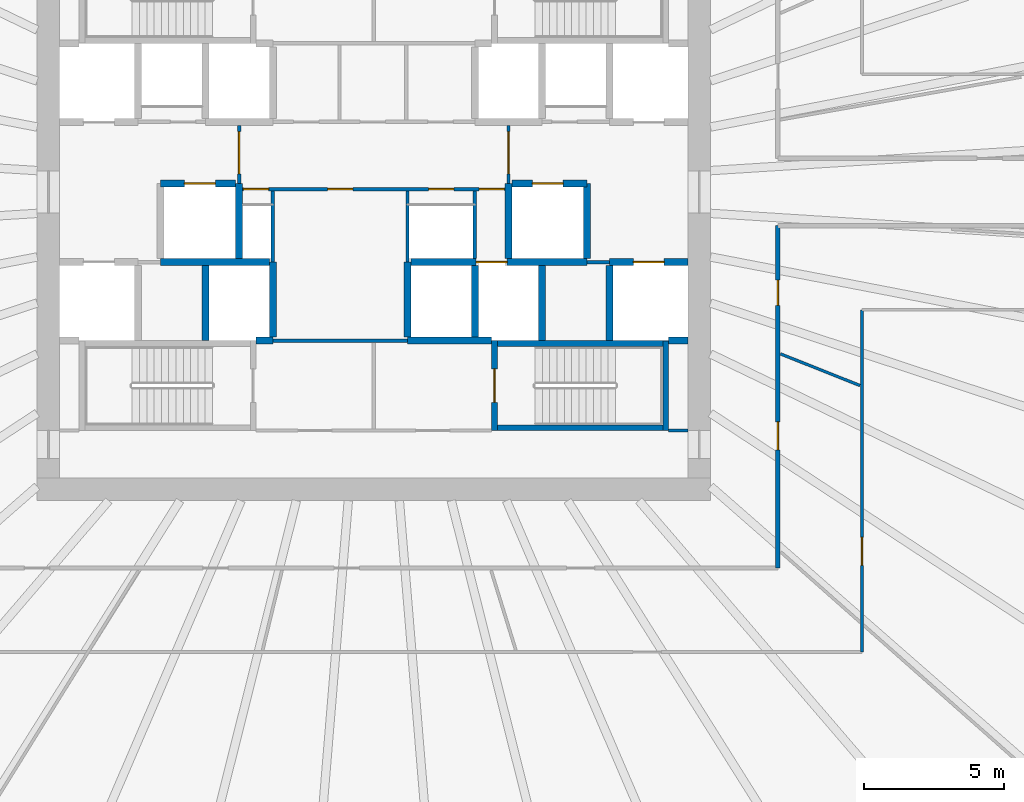
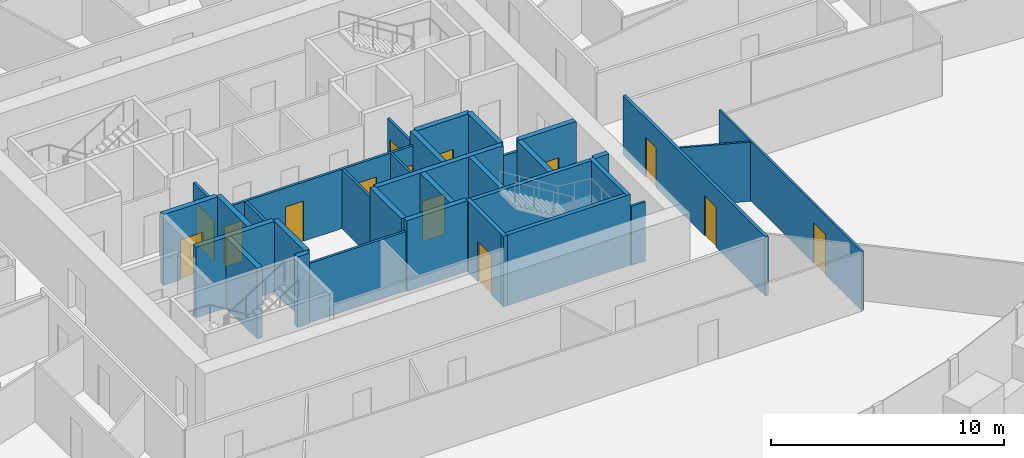
# One storey, part 7 of 11: 33 walls, 14 doors, 14 openings.
"""IFC4 building model written with IfcOpenShell, lengths in metres."""

from ifc_helpers import new_model, si_unit, direction, frame, frame_2d, origin, place, context, subcontext, project, spatial, rectangle, extrude, source, transform, mapped, material, layer, layer_set, type_object, element, fill, save


model = new_model("IFC4")

# Units and contexts
model_context = context("Model", 3, precision=1e-05, world=origin(), true_north=direction((0.0, 1.0)))
body_context = subcontext(model_context, "Body", "Model", "MODEL_VIEW")
ifc_project = project(units=[si_unit("LENGTHUNIT", "METRE"), si_unit("AREAUNIT", "SQUARE_METRE"), si_unit("VOLUMEUNIT", "CUBIC_METRE"), si_unit("PLANEANGLEUNIT", "RADIAN"), si_unit("MASSUNIT", "GRAM", prefix="KILO")], contexts=[model_context])

# Site, building, storey
site_placement = place(None, origin())
site = spatial("IfcSite", under=ifc_project, at=site_placement, CompositionType="ELEMENT")
building_placement = place(site_placement, origin())
building = spatial("IfcBuilding", under=site, at=building_placement, Name="Embergate Tower", CompositionType="ELEMENT")
storey_placement = place(building_placement, frame((0.0, 0.0, 139.800048828125)))
storey = spatial("IfcBuildingStorey", under=building, at=storey_placement, Name="L30", CompositionType="ELEMENT", Elevation=139.800048828125)

# Walls
ifc_material_1 = material(Name="Concrete C50", Category="concrete")
ifc_layer_1 = layer(ifc_material_1, 0.25)
ifc_layer_set_1 = layer_set([ifc_layer_1], Name="Concrete C50")
wall_type_1 = type_object("IfcWallType", Name="Hoistway wall reinforced concrete 250", PredefinedType="SHEAR", material=ifc_layer_set_1)
shared_shape_1 = source(origin(), body_context, "Body", "SweptSolid", [
    extrude(rectangle(XDim=2.675048828125, YDim=0.25, at=frame_2d((1.33740234375, 0.0))), origin(), (0.0, 0.0, 1.0), 3.699951171875),
])
for number, where, z_axis, x_axis, name in (
    (1, (-3.60009765625, -5.175048828125, 0.0), (0.0, 0.0, 1.0), (0.0, 1.0, 0.0), "HW-1 wall"),
    (2, (1.199951171875, -2.5, 0.0), (0.0, 0.0, 1.0), (0.0, -1.0, 0.0), "HW-1 wall"),
    (3, (-4.800048828125, 0.300048828125, 0.0), (0.0, 0.0, 1.0), (0.0, -1.0, 0.0), "HW-1 wall"),
    (4, (4.800048828125, -2.375, 0.0), (0.0, 0.0, 1.0), (0.0, 1.0, 0.0), "HW-1 wall"),
):
    element("IfcWall", number, at=place(storey_placement, frame(where, z_axis=z_axis, x_axis=x_axis)), inside=storey, type_object=wall_type_1, Name=name, PredefinedType="SHEAR", context=body_context, shape_type="MappedRepresentation", body=[
        mapped(shared_shape_1, transform((0.0, 0.0, 0.0))),
    ])

# Wall, opening, door
wall_1_placement = place(storey_placement, frame((-4.925048828125, 0.300048828125, 0.0), z_axis=(0.0, 0.0, 1.0), x_axis=(-1.0, 0.0, 0.0)))
wall_1 = element("IfcWall", 5, at=wall_1_placement, inside=storey, type_object=wall_type_1, Name="HW-1 wall", PredefinedType="SHEAR", context=body_context, shape_type="MappedRepresentation", body=[
    mapped(shared_shape_1, transform((0.0, 0.0, 0.0))),
])
shared_shape_2 = source(origin(), body_context, "Body", "SweptSolid", [
    extrude(rectangle(XDim=1.10009765625, YDim=2.10009765625, at=frame_2d((0.550048828125, 1.050048828125))), frame((0.0, 0.135009765625, 0.0), z_axis=(0.0, -1.0, 0.0), x_axis=(1.0, 0.0, 0.0)), (0.0, 0.0, 1.0), 0.27001953125),
])
opening_1_placement = place(wall_1_placement, frame((0.72509765625, 0.0, 0.0)))
opening_1 = element("IfcOpeningElement", 6, at=opening_1_placement, cuts=wall_1, Name="Opening LD", PredefinedType="OPENING", context=body_context, shape_type="MappedRepresentation", body=[
    mapped(shared_shape_2, transform((0.0, 0.0, 0.0))),
])
ifc_material_2 = material(Name="Landing door sliding 1100")
door_type_1 = type_object("IfcDoorType", Name="Landing door sliding 1100", OperationType="SLIDING_TO_LEFT", PredefinedType="DOOR", material=ifc_material_2)
shared_shape_3 = source(origin(), body_context, "Body", "SweptSolid", [
    extrude(rectangle(XDim=1.10009765625, YDim=2.10009765625, at=frame_2d((0.550048828125, 1.050048828125))), frame((0.0, 0.02490234375, 0.0), z_axis=(0.0, -1.0, 0.0), x_axis=(1.0, 0.0, 0.0)), (0.0, 0.0, 1.0), 0.050048828125),
])
door_1_placement = place(opening_1_placement, origin())
door_1 = element("IfcDoor", 7, at=door_1_placement, inside=storey, type_object=door_type_1, Name="LD door", OperationType="SLIDING_TO_RIGHT", OverallHeight=2.10009765625, OverallWidth=1.10009765625, PredefinedType="DOOR", context=body_context, shape_type="MappedRepresentation", body=[
    mapped(shared_shape_3, transform((0.0, 0.0, 0.0))),
])
fill(opening_1, door_1)

wall_2_placement = place(storey_placement, frame((7.60009765625, 0.300048828125, 0.0), z_axis=(0.0, 0.0, 1.0), x_axis=(-1.0, 0.0, 0.0)))
wall_2 = element("IfcWall", 8, at=wall_2_placement, inside=storey, type_object=wall_type_1, Name="HW-1 wall", PredefinedType="SHEAR", context=body_context, shape_type="MappedRepresentation", body=[
    mapped(shared_shape_1, transform((0.0, 0.0, 0.0))),
])
opening_2_placement = place(wall_2_placement, frame((0.85009765625, 0.0, 0.0)))
opening_2 = element("IfcOpeningElement", 9, at=opening_2_placement, cuts=wall_2, Name="Opening LD", PredefinedType="OPENING", context=body_context, shape_type="MappedRepresentation", body=[
    mapped(shared_shape_2, transform((0.0, 0.0, 0.0))),
])
door_2_placement = place(opening_2_placement, origin())
door_2 = element("IfcDoor", 10, at=door_2_placement, inside=storey, type_object=door_type_1, Name="LD door", OperationType="SLIDING_TO_LEFT", OverallHeight=2.10009765625, OverallWidth=1.10009765625, PredefinedType="DOOR", context=body_context, shape_type="MappedRepresentation", body=[
    mapped(shared_shape_3, transform((0.0, 0.0, 0.0))),
])
fill(opening_2, door_2)

# Walls
wall_3_placement = place(storey_placement, frame((7.60009765625, -2.375, 0.0), z_axis=(0.0, 0.0, 1.0), x_axis=(0.0, 1.0, 0.0)))
element("IfcWall", 11, at=wall_3_placement, inside=storey, type_object=wall_type_1, Name="HW-1 wall", PredefinedType="SHEAR", context=body_context, shape_type="MappedRepresentation", body=[
    mapped(shared_shape_1, transform((0.0, 0.0, 0.0))),
])
ifc_layer_2 = layer(ifc_material_1, 0.199951171875)
ifc_layer_set_2 = layer_set([ifc_layer_2], Name="Concrete C50")
wall_type_2 = type_object("IfcWallType", Name="Stair enclosure wall reinforced concrete 250", PredefinedType="SHEAR", material=ifc_layer_set_2)
shared_shape_4 = source(origin(), body_context, "Body", "SweptSolid", [
    extrude(rectangle(XDim=6.300048828125, YDim=0.199951171875, at=frame_2d((3.14990234375, 0.0))), origin(), (0.0, 0.0, 1.0), 3.699951171875),
])
for number, where, z_axis, x_axis, name in (
    (12, (4.199951171875, -5.39990234375, 0.0), (0.0, 0.0, 1.0), (1.0, 0.0, 0.0), "SE-1 wall"),
    (13, (4.199951171875, -8.39990234375, 0.0), (0.0, 0.0, 1.0), (1.0, 0.0, 0.0), "SE-1 wall"),
):
    element("IfcWall", number, at=place(storey_placement, frame(where, z_axis=z_axis, x_axis=x_axis)), inside=storey, type_object=wall_type_2, Name=name, PredefinedType="SHEAR", context=body_context, shape_type="MappedRepresentation", body=[
        mapped(shared_shape_4, transform((0.0, 0.0, 0.0))),
    ])
shared_shape_5 = source(origin(), body_context, "Body", "SweptSolid", [
    extrude(rectangle(XDim=2.550048828125, YDim=0.25, at=frame_2d((1.27490234375, 0.0))), origin(), (0.0, 0.0, 1.0), 3.699951171875),
])
wall_4_placement = place(storey_placement, frame((3.60009765625, -5.175048828125, 0.0), z_axis=(0.0, 0.0, 1.0), x_axis=(0.0, 1.0, 0.0)))
element("IfcWall", 14, at=wall_4_placement, inside=storey, type_object=wall_type_1, Name="HW-1 wall", PredefinedType="SHEAR", context=body_context, shape_type="MappedRepresentation", body=[
    mapped(shared_shape_5, transform((0.0, 0.0, 0.0))),
])

# Wall, opening, door
shared_shape_6 = source(origin(), body_context, "Body", "SweptSolid", [
    extrude(rectangle(XDim=3.199951171875, YDim=0.199951171875, at=frame_2d((1.60009765625, 0.0))), origin(), (0.0, 0.0, 1.0), 3.699951171875),
])
wall_5_placement = place(storey_placement, frame((4.300048828125, -5.300048828125, 0.0), z_axis=(0.0, 0.0, 1.0), x_axis=(0.0, -1.0, 0.0)))
wall_5 = element("IfcWall", 15, at=wall_5_placement, inside=storey, type_object=wall_type_2, Name="SE-1 wall", PredefinedType="SHEAR", context=body_context, shape_type="MappedRepresentation", body=[
    mapped(shared_shape_6, transform((0.0, 0.0, 0.0))),
])
shared_shape_7 = source(origin(), body_context, "Body", "SweptSolid", [
    extrude(rectangle(XDim=1.199951171875, YDim=2.10009765625, at=frame_2d((0.60009765625, 1.050048828125))), frame((0.0, 0.10986328125, 0.0), z_axis=(0.0, -1.0, 0.0), x_axis=(1.0, 0.0, 0.0)), (0.0, 0.0, 1.0), 0.219970703125),
])
opening_3_placement = place(wall_5_placement, frame((1.0, 0.0, 0.0)))
opening_3 = element("IfcOpeningElement", 16, at=opening_3_placement, cuts=wall_5, Name="Opening IF-2", PredefinedType="OPENING", context=body_context, shape_type="MappedRepresentation", body=[
    mapped(shared_shape_7, transform((0.0, 0.0, 0.0))),
])
ifc_material_3 = material(Name="Stair enclosure door 1200")
door_type_2 = type_object("IfcDoorType", Name="Stair enclosure door 1200", OperationType="SINGLE_SWING_LEFT", PredefinedType="DOOR", material=ifc_material_3)
shared_shape_8 = source(origin(), body_context, "Body", "SweptSolid", [
    extrude(rectangle(XDim=1.199951171875, YDim=2.10009765625, at=frame_2d((0.60009765625, 1.050048828125))), frame((0.0, 0.02490234375, 0.0), z_axis=(0.0, -1.0, 0.0), x_axis=(1.0, 0.0, 0.0)), (0.0, 0.0, 1.0), 0.050048828125),
])
door_3_placement = place(opening_3_placement, origin())
door_3 = element("IfcDoor", 17, at=door_3_placement, inside=storey, type_object=door_type_2, Name="IF-2 door", OperationType="SINGLE_SWING_LEFT", OverallHeight=2.10009765625, OverallWidth=1.199951171875, PredefinedType="DOOR", context=body_context, shape_type="MappedRepresentation", body=[
    mapped(shared_shape_8, transform((0.0, 0.0, 0.0))),
])
fill(opening_3, door_3)

ifc_material_4 = material(Name="Core partition blockwork 120")
ifc_layer_3 = layer(ifc_material_4, 0.1201171875)
ifc_layer_set_3 = layer_set([ifc_layer_3], Name="Core partition blockwork 120")
wall_type_3 = type_object("IfcWallType", Name="Core partition blockwork 120", PredefinedType="PARTITIONING", material=ifc_layer_set_3)
shared_shape_9 = source(origin(), body_context, "Body", "SweptSolid", [
    extrude(rectangle(XDim=2.074951171875, YDim=0.1201171875, at=frame_2d((1.03759765625, 0.0))), origin(), (0.0, 0.0, 1.0), 3.099853515625),
])
wall_6_placement = place(storey_placement, frame((-4.800048828125, 2.375, 0.0), z_axis=(0.0, 0.0, 1.0), x_axis=(0.0, -1.0, 0.0)))
wall_6 = element("IfcWall", 18, at=wall_6_placement, inside=storey, type_object=wall_type_3, Name="IP-3 wall", PredefinedType="PARTITIONING", context=body_context, shape_type="MappedRepresentation", body=[
    mapped(shared_shape_9, transform((0.0, 0.0, 0.0))),
])
shared_shape_10 = source(origin(), body_context, "Body", "SweptSolid", [
    extrude(rectangle(XDim=1.5, YDim=2.10009765625, at=frame_2d((0.75, 1.050048828125))), frame((0.0, 0.070068359375, 0.0), z_axis=(0.0, -1.0, 0.0), x_axis=(1.0, 0.0, 0.0)), (0.0, 0.0, 1.0), 0.14013671875),
])
opening_4_placement = place(wall_6_placement, frame((0.22509765625, 0.0, 0.0)))
opening_4 = element("IfcOpeningElement", 19, at=opening_4_placement, cuts=wall_6, Name="Opening IF-3", PredefinedType="OPENING", context=body_context, shape_type="MappedRepresentation", body=[
    mapped(shared_shape_10, transform((0.0, 0.0, 0.0))),
])
ifc_material_5 = material(Name="Lobby fire door pair 1500")
door_type_3 = type_object("IfcDoorType", Name="Lobby fire door pair 1500", OperationType="DOUBLE_DOOR_SINGLE_SWING", PredefinedType="DOOR", material=ifc_material_5)
shared_shape_11 = source(origin(), body_context, "Body", "SweptSolid", [
    extrude(rectangle(XDim=1.5, YDim=2.10009765625, at=frame_2d((0.75, 1.050048828125))), frame((0.0, 0.02490234375, 0.0), z_axis=(0.0, -1.0, 0.0), x_axis=(1.0, 0.0, 0.0)), (0.0, 0.0, 1.0), 0.050048828125),
])
door_4_placement = place(opening_4_placement, origin())
door_4 = element("IfcDoor", 20, at=door_4_placement, inside=storey, type_object=door_type_3, Name="IF-3 door", OperationType="DOUBLE_DOOR_SINGLE_SWING", OverallHeight=2.10009765625, OverallWidth=1.5, PredefinedType="DOOR", context=body_context, shape_type="MappedRepresentation", body=[
    mapped(shared_shape_11, transform((0.0, 0.0, 0.0))),
])
fill(opening_4, door_4)

wall_7_placement = place(storey_placement, frame((4.800048828125, 0.300048828125, 0.0), z_axis=(0.0, 0.0, 1.0), x_axis=(0.0, 1.0, 0.0)))
wall_7 = element("IfcWall", 21, at=wall_7_placement, inside=storey, type_object=wall_type_3, Name="IP-3 wall", PredefinedType="PARTITIONING", context=body_context, shape_type="MappedRepresentation", body=[
    mapped(shared_shape_9, transform((0.0, 0.0, 0.0))),
])
opening_5_placement = place(wall_7_placement, frame((0.35009765625, 0.0, 0.0)))
opening_5 = element("IfcOpeningElement", 22, at=opening_5_placement, cuts=wall_7, Name="Opening IF-3", PredefinedType="OPENING", context=body_context, shape_type="MappedRepresentation", body=[
    mapped(shared_shape_10, transform((0.0, 0.0, 0.0))),
])
door_5_placement = place(opening_5_placement, origin())
door_5 = element("IfcDoor", 23, at=door_5_placement, inside=storey, type_object=door_type_3, Name="IF-3 door", OperationType="DOUBLE_DOOR_SINGLE_SWING", OverallHeight=2.10009765625, OverallWidth=1.5, PredefinedType="DOOR", context=body_context, shape_type="MappedRepresentation", body=[
    mapped(shared_shape_11, transform((0.0, 0.0, 0.0))),
])
fill(opening_5, door_5)

shared_shape_12 = source(origin(), body_context, "Body", "SweptSolid", [
    extrude(rectangle(XDim=2.800048828125, YDim=0.25, at=frame_2d((1.39990234375, 0.0))), origin(), (0.0, 0.0, 1.0), 3.699951171875),
])
wall_8_placement = place(storey_placement, frame((11.199951171875, -2.5, 0.0), z_axis=(0.0, 0.0, 1.0), x_axis=(-1.0, 0.0, 0.0)))
wall_8 = element("IfcWall", 24, at=wall_8_placement, inside=storey, type_object=wall_type_1, Name="HW-1 wall", PredefinedType="SHEAR", context=body_context, shape_type="MappedRepresentation", body=[
    mapped(shared_shape_12, transform((0.0, 0.0, 0.0))),
])
opening_6_placement = place(wall_8_placement, frame((0.85009765625, 0.0, 0.0)))
opening_6 = element("IfcOpeningElement", 25, at=opening_6_placement, cuts=wall_8, Name="Opening LD", PredefinedType="OPENING", context=body_context, shape_type="MappedRepresentation", body=[
    mapped(shared_shape_2, transform((0.0, 0.0, 0.0))),
])
door_6_placement = place(opening_6_placement, origin())
door_6 = element("IfcDoor", 26, at=door_6_placement, inside=storey, type_object=door_type_1, Name="LD door", OperationType="SLIDING_TO_RIGHT", OverallHeight=2.10009765625, OverallWidth=1.10009765625, PredefinedType="DOOR", context=body_context, shape_type="MappedRepresentation", body=[
    mapped(shared_shape_3, transform((0.0, 0.0, 0.0))),
])
fill(opening_6, door_6)

# Walls
shared_shape_13 = source(origin(), body_context, "Body", "SweptSolid", [
    extrude(rectangle(XDim=0.599853515625, YDim=0.25, at=frame_2d((0.2998046875, 0.0))), origin(), (0.0, 0.0, 1.0), 3.699951171875),
])
wall_9_placement = place(storey_placement, frame((-4.199951171875, -5.300048828125, 0.0), z_axis=(0.0, 0.0, 1.0), x_axis=(1.0, 0.0, 0.0)))
element("IfcWall", 27, at=wall_9_placement, inside=storey, type_object=wall_type_1, Name="HW-1 wall", PredefinedType="SHEAR", context=body_context, shape_type="MappedRepresentation", body=[
    mapped(shared_shape_13, transform((0.0, 0.0, 0.0))),
])
shared_shape_14 = source(origin(), body_context, "Body", "SweptSolid", [
    extrude(rectangle(XDim=3.872802734375, YDim=0.25, at=frame_2d((1.9365234375, 0.0))), origin(), (0.0, 0.0, 1.0), 3.699951171875),
])
wall_10_placement = place(storey_placement, frame((-3.72509765625, -2.5, 0.0), z_axis=(0.0, 0.0, 1.0), x_axis=(-1.0, 0.0, 0.0)))
element("IfcWall", 28, at=wall_10_placement, inside=storey, type_object=wall_type_1, Name="HW-1 wall", PredefinedType="SHEAR", context=body_context, shape_type="MappedRepresentation", body=[
    mapped(shared_shape_14, transform((0.0, 0.0, 0.0))),
])

# Wall, opening, door
shared_shape_15 = source(origin(), body_context, "Body", "SweptSolid", [
    extrude(rectangle(XDim=6.27294921875, YDim=0.25, at=frame_2d((3.136474609375, 0.0))), origin(), (0.0, 0.0, 1.0), 3.699951171875),
])
wall_11_placement = place(storey_placement, frame((7.597900390625, -2.5, 0.0), z_axis=(0.0, 0.0, 1.0), x_axis=(-1.0, 0.0, 0.0)))
wall_11 = element("IfcWall", 29, at=wall_11_placement, inside=storey, type_object=wall_type_1, Name="HW-1 wall", PredefinedType="SHEAR", context=body_context, shape_type="MappedRepresentation", body=[
    mapped(shared_shape_15, transform((0.0, 0.0, 0.0))),
])
opening_7_placement = place(wall_11_placement, frame((2.847900390625, 0.0, 0.0)))
opening_7 = element("IfcOpeningElement", 30, at=opening_7_placement, cuts=wall_11, Name="Opening LD", PredefinedType="OPENING", context=body_context, shape_type="MappedRepresentation", body=[
    mapped(shared_shape_2, transform((0.0, 0.0, 0.0))),
])
door_7_placement = place(opening_7_placement, origin())
door_7 = element("IfcDoor", 31, at=door_7_placement, inside=storey, type_object=door_type_1, Name="LD door", OperationType="SLIDING_TO_RIGHT", OverallHeight=2.10009765625, OverallWidth=1.10009765625, PredefinedType="DOOR", context=body_context, shape_type="MappedRepresentation", body=[
    mapped(shared_shape_3, transform((0.0, 0.0, 0.0))),
])
fill(opening_7, door_7)

# Walls
shared_shape_16 = source(origin(), body_context, "Body", "SweptSolid", [
    extrude(rectangle(XDim=3.0, YDim=0.25, at=frame_2d((1.5, 0.0))), origin(), (0.0, 0.0, 1.0), 3.699951171875),
])
wall_12_placement = place(storey_placement, frame((1.199951171875, -5.300048828125, 0.0), z_axis=(0.0, 0.0, 1.0), x_axis=(1.0, 0.0, 0.0)))
element("IfcWall", 32, at=wall_12_placement, inside=storey, type_object=wall_type_1, Name="HW-1 wall", PredefinedType="SHEAR", context=body_context, shape_type="MappedRepresentation", body=[
    mapped(shared_shape_16, transform((0.0, 0.0, 0.0))),
])
shared_shape_17 = source(origin(), body_context, "Body", "SweptSolid", [
    extrude(rectangle(XDim=3.196044921875, YDim=0.199951171875, at=frame_2d((1.59814453125, 0.0))), origin(), (0.0, 0.0, 1.0), 3.699951171875),
])
wall_13_placement = place(storey_placement, frame((10.39990234375, -8.498046875, 0.0), z_axis=(0.0, 0.0, 1.0), x_axis=(0.0, 1.0, 0.0)))
element("IfcWall", 33, at=wall_13_placement, inside=storey, type_object=wall_type_2, Name="SE-1 wall", PredefinedType="SHEAR", context=body_context, shape_type="MappedRepresentation", body=[
    mapped(shared_shape_17, transform((0.0, 0.0, 0.0))),
])
shared_shape_18 = source(origin(), body_context, "Body", "SweptSolid", [
    extrude(rectangle(XDim=0.697998046875, YDim=0.25, at=frame_2d((0.34912109375, 0.0))), origin(), (0.0, 0.0, 1.0), 3.699951171875),
])
wall_14_placement = place(storey_placement, frame((10.501953125, -5.300048828125, 0.0), z_axis=(0.0, 0.0, 1.0), x_axis=(1.0, 0.0, 0.0)))
element("IfcWall", 34, at=wall_14_placement, inside=storey, type_object=wall_type_1, Name="HW-1 wall", PredefinedType="SHEAR", context=body_context, shape_type="MappedRepresentation", body=[
    mapped(shared_shape_18, transform((0.0, 0.0, 0.0))),
])
shared_shape_19 = source(origin(), body_context, "Body", "SweptSolid", [
    extrude(rectangle(XDim=2.671142578125, YDim=0.25, at=frame_2d((1.33544921875, 0.0))), origin(), (0.0, 0.0, 1.0), 3.699951171875),
])
for number, where, z_axis, x_axis, name in (
    (35, (-6.0, -2.626953125, 0.0), (0.0, 0.0, 1.0), (0.0, -1.0, 0.0), "HW-1 wall"),
    (36, (6.0, -5.298095703125, 0.0), (0.0, 0.0, 1.0), (0.0, 1.0, 0.0), "HW-1 wall"),
    (37, (8.39990234375, -2.626953125, 0.0), (0.0, 0.0, 1.0), (0.0, -1.0, 0.0), "HW-1 wall"),
):
    element("IfcWall", number, at=place(storey_placement, frame(where, z_axis=z_axis, x_axis=x_axis)), inside=storey, type_object=wall_type_1, Name=name, PredefinedType="SHEAR", context=body_context, shape_type="MappedRepresentation", body=[
        mapped(shared_shape_19, transform((0.0, 0.0, 0.0))),
    ])

# Wall, openings, doors
ifc_material_6 = material(Name="Corridor wall dry-lined 150")
ifc_layer_4 = layer(ifc_material_6, 0.14990234375)
ifc_layer_set_4 = layer_set([ifc_layer_4], Name="Corridor wall dry-lined 150")
wall_type_4 = type_object("IfcWallType", Name="Corridor wall dry-lined 150", PredefinedType="PARTITIONING", material=ifc_layer_set_4)
shared_shape_20 = source(origin(), body_context, "Body", "SweptSolid", [
    extrude(rectangle(XDim=12.199951171875, YDim=0.14990234375, at=frame_2d((6.10009765625, 0.0))), origin(), (0.0, 0.0, 1.0), 3.099853515625),
])
wall_15_placement = place(storey_placement, frame((14.39990234375, -1.199951171875, 0.0), z_axis=(0.0, 0.0, 1.0), x_axis=(0.0, -1.0, 0.0)))
wall_15 = element("IfcWall", 38, at=wall_15_placement, inside=storey, type_object=wall_type_4, Name="IP-2 wall", PredefinedType="PARTITIONING", context=body_context, shape_type="MappedRepresentation", body=[
    mapped(shared_shape_20, transform((0.0, 0.0, 0.0))),
])
shared_shape_21 = source(origin(), body_context, "Body", "SweptSolid", [
    extrude(rectangle(XDim=1.0, YDim=2.10009765625, at=frame_2d((0.5, 1.050048828125))), frame((0.0, 0.0849609375, 0.0), z_axis=(0.0, -1.0, 0.0), x_axis=(1.0, 0.0, 0.0)), (0.0, 0.0, 1.0), 0.169921875),
])
opening_8_placement = place(wall_15_placement, frame((6.993896484375, 0.0, 0.0)))
opening_8 = element("IfcOpeningElement", 39, at=opening_8_placement, cuts=wall_15, Name="Opening ID-2", PredefinedType="OPENING", context=body_context, shape_type="MappedRepresentation", body=[
    mapped(shared_shape_21, transform((0.0, 0.0, 0.0))),
])
shared_shape_22 = source(origin(), body_context, "Body", "SweptSolid", [
    extrude(rectangle(XDim=0.89990234375, YDim=2.10009765625, at=frame_2d((0.449951171875, 1.050048828125))), frame((0.0, 0.0849609375, 0.0), z_axis=(0.0, -1.0, 0.0), x_axis=(1.0, 0.0, 0.0)), (0.0, 0.0, 1.0), 0.169921875),
])
opening_9_placement = place(wall_15_placement, frame((1.93994140625, 0.0, 0.0)))
opening_9 = element("IfcOpeningElement", 40, at=opening_9_placement, cuts=wall_15, Name="Opening IF-1c", PredefinedType="OPENING", context=body_context, shape_type="MappedRepresentation", body=[
    mapped(shared_shape_22, transform((0.0, 0.0, 0.0))),
])
ifc_material_7 = material(Name="Escape fire door 900")
door_type_4 = type_object("IfcDoorType", Name="Escape fire door 900", OperationType="SINGLE_SWING_LEFT", PredefinedType="DOOR", material=ifc_material_7)
shared_shape_23 = source(origin(), body_context, "Body", "SweptSolid", [
    extrude(rectangle(XDim=0.89990234375, YDim=2.10009765625, at=frame_2d((0.449951171875, 1.050048828125))), frame((0.0, 0.02490234375, 0.0), z_axis=(0.0, -1.0, 0.0), x_axis=(1.0, 0.0, 0.0)), (0.0, 0.0, 1.0), 0.050048828125),
])
door_8_placement = place(opening_9_placement, origin())
door_8 = element("IfcDoor", 41, at=door_8_placement, inside=storey, type_object=door_type_4, Name="IF-1 door", OperationType="SINGLE_SWING_LEFT", OverallHeight=2.10009765625, OverallWidth=0.89990234375, PredefinedType="DOOR", context=body_context, shape_type="MappedRepresentation", body=[
    mapped(shared_shape_23, transform((0.0, 0.0, 0.0))),
])
fill(opening_9, door_8)
ifc_material_8 = material(Name="Interior door 1000")
door_type_5 = type_object("IfcDoorType", Name="Interior door 1000", OperationType="SINGLE_SWING_LEFT", PredefinedType="DOOR", material=ifc_material_8)
shared_shape_24 = source(origin(), body_context, "Body", "SweptSolid", [
    extrude(rectangle(XDim=1.0, YDim=2.10009765625, at=frame_2d((0.5, 1.050048828125))), frame((0.0, 0.02490234375, 0.0), z_axis=(0.0, -1.0, 0.0), x_axis=(1.0, 0.0, 0.0)), (0.0, 0.0, 1.0), 0.050048828125),
])
door_9_placement = place(opening_8_placement, origin())
door_9 = element("IfcDoor", 42, at=door_9_placement, inside=storey, type_object=door_type_5, Name="ID-2 door", OperationType="SINGLE_SWING_RIGHT", OverallHeight=2.10009765625, OverallWidth=1.0, PredefinedType="DOOR", context=body_context, shape_type="MappedRepresentation", body=[
    mapped(shared_shape_24, transform((0.0, 0.0, 0.0))),
])
fill(opening_8, door_9)

# Wall, opening, door
ifc_material_9 = material(Name="Partition dry-lined 100")
ifc_layer_5 = layer(ifc_material_9, 0.10009765625)
ifc_layer_set_5 = layer_set([ifc_layer_5], Name="Partition dry-lined 100")
wall_type_5 = type_object("IfcWallType", Name="Partition dry-lined 100", PredefinedType="PARTITIONING", material=ifc_layer_set_5)
shared_shape_25 = source(origin(), body_context, "Body", "SweptSolid", [
    extrude(rectangle(XDim=12.199951171875, YDim=0.10009765625, at=frame_2d((6.10009765625, 0.0))), origin(), (0.0, 0.0, 1.0), 3.099853515625),
])
wall_16_placement = place(storey_placement, frame((17.39990234375, -4.199951171875, 0.0), z_axis=(0.0, 0.0, 1.0), x_axis=(0.0, -1.0, 0.0)))
wall_16 = element("IfcWall", 43, at=wall_16_placement, inside=storey, type_object=wall_type_5, Name="IP-1 wall", PredefinedType="PARTITIONING", context=body_context, shape_type="MappedRepresentation", body=[
    mapped(shared_shape_25, transform((0.0, 0.0, 0.0))),
])
shared_shape_26 = source(origin(), body_context, "Body", "SweptSolid", [
    extrude(rectangle(XDim=1.0, YDim=2.10009765625, at=frame_2d((0.5, 1.050048828125))), frame((0.0, 0.06005859375, 0.0), z_axis=(0.0, -1.0, 0.0), x_axis=(1.0, 0.0, 0.0)), (0.0, 0.0, 1.0), 0.1201171875),
])
opening_10_placement = place(wall_16_placement, frame((8.10498046875, 0.0, 0.0)))
opening_10 = element("IfcOpeningElement", 44, at=opening_10_placement, cuts=wall_16, Name="Opening ID-2", PredefinedType="OPENING", context=body_context, shape_type="MappedRepresentation", body=[
    mapped(shared_shape_26, transform((0.0, 0.0, 0.0))),
])
door_10_placement = place(opening_10_placement, origin())
door_10 = element("IfcDoor", 45, at=door_10_placement, inside=storey, type_object=door_type_5, Name="ID-2 door", OperationType="SINGLE_SWING_LEFT", OverallHeight=2.10009765625, OverallWidth=1.0, PredefinedType="DOOR", context=body_context, shape_type="MappedRepresentation", body=[
    mapped(shared_shape_24, transform((0.0, 0.0, 0.0))),
])
fill(opening_10, door_10)

# Wall
shared_shape_27 = source(origin(), body_context, "Body", "SweptSolid", [
    extrude(rectangle(XDim=3.0546875, YDim=0.10009765625, at=frame_2d((1.52734375, 0.0))), origin(), (0.0, 0.0, 1.0), 3.099853515625),
])
wall_17_placement = place(storey_placement, frame((17.3310546875, -6.89892578125, 0.0), z_axis=(0.0, 0.0, 1.0), x_axis=(-0.929081750978, 0.369874438153, 0.0)))
element("IfcWall", 46, at=wall_17_placement, inside=storey, type_object=wall_type_5, Name="IP-1 wall", PredefinedType="PARTITIONING", context=body_context, shape_type="MappedRepresentation", body=[
    mapped(shared_shape_27, transform((0.0, 0.0, 0.0))),
])

# Wall, openings, doors
shared_shape_28 = source(origin(), body_context, "Body", "SweptSolid", [
    extrude(rectangle(XDim=9.35009765625, YDim=0.1201171875, at=frame_2d((4.675048828125, 0.0))), origin(), (0.0, 0.0, 1.0), 3.099853515625),
])
wall_18_placement = place(storey_placement, frame((-4.675048828125, 0.10009765625, 0.0), z_axis=(0.0, 0.0, 1.0), x_axis=(1.0, 0.0, 0.0)))
wall_18 = element("IfcWall", 47, at=wall_18_placement, inside=storey, type_object=wall_type_3, Name="IP-3 wall", PredefinedType="PARTITIONING", context=body_context, shape_type="MappedRepresentation", body=[
    mapped(shared_shape_28, transform((0.0, 0.0, 0.0))),
])
shared_shape_29 = source(origin(), body_context, "Body", "SweptSolid", [
    extrude(rectangle(XDim=0.89990234375, YDim=2.10009765625, at=frame_2d((0.449951171875, 1.050048828125))), frame((0.0, 0.070068359375, 0.0), z_axis=(0.0, -1.0, 0.0), x_axis=(1.0, 0.0, 0.0)), (0.0, 0.0, 1.0), 0.14013671875),
])
opening_11_placement = place(wall_18_placement, frame((8.425048828125, 0.0, 0.0)))
opening_11 = element("IfcOpeningElement", 48, at=opening_11_placement, cuts=wall_18, Name="Opening IF-3c", PredefinedType="OPENING", context=body_context, shape_type="MappedRepresentation", body=[
    mapped(shared_shape_29, transform((0.0, 0.0, 0.0))),
])
opening_12_placement = place(wall_18_placement, frame((0.02490234375, 0.0, 0.0)))
opening_12 = element("IfcOpeningElement", 49, at=opening_12_placement, cuts=wall_18, Name="Opening ID-1", PredefinedType="OPENING", context=body_context, shape_type="MappedRepresentation", body=[
    mapped(shared_shape_29, transform((0.0, 0.0, 0.0))),
])
opening_13_placement = place(wall_18_placement, frame((6.625, 0.0, 0.0)))
opening_13 = element("IfcOpeningElement", 50, at=opening_13_placement, cuts=wall_18, Name="Opening ID-1", PredefinedType="OPENING", context=body_context, shape_type="MappedRepresentation", body=[
    mapped(shared_shape_29, transform((0.0, 0.0, 0.0))),
])
opening_14_placement = place(wall_18_placement, frame((3.02490234375, 0.0, 0.0)))
opening_14 = element("IfcOpeningElement", 51, at=opening_14_placement, cuts=wall_18, Name="Opening ID-1", PredefinedType="OPENING", context=body_context, shape_type="MappedRepresentation", body=[
    mapped(shared_shape_29, transform((0.0, 0.0, 0.0))),
])
ifc_material_10 = material(Name="Lobby fire door pair 900")
door_type_6 = type_object("IfcDoorType", Name="Lobby fire door pair 900", OperationType="DOUBLE_DOOR_SINGLE_SWING", PredefinedType="DOOR", material=ifc_material_10)
door_11_placement = place(opening_11_placement, origin())
door_11 = element("IfcDoor", 52, at=door_11_placement, inside=storey, type_object=door_type_6, Name="IF-3 door", OperationType="DOUBLE_DOOR_SINGLE_SWING", OverallHeight=2.10009765625, OverallWidth=0.89990234375, PredefinedType="DOOR", context=body_context, shape_type="MappedRepresentation", body=[
    mapped(shared_shape_23, transform((0.0, 0.0, 0.0))),
])
fill(opening_11, door_11)
ifc_material_11 = material(Name="Interior door 900")
door_type_7 = type_object("IfcDoorType", Name="Interior door 900", OperationType="SINGLE_SWING_LEFT", PredefinedType="DOOR", material=ifc_material_11)
door_12_placement = place(opening_12_placement, origin())
door_12 = element("IfcDoor", 53, at=door_12_placement, inside=storey, type_object=door_type_7, Name="ID-1 door", OperationType="SINGLE_SWING_LEFT", OverallHeight=2.10009765625, OverallWidth=0.89990234375, PredefinedType="DOOR", context=body_context, shape_type="MappedRepresentation", body=[
    mapped(shared_shape_23, transform((0.0, 0.0, 0.0))),
])
fill(opening_12, door_12)
door_13_placement = place(opening_13_placement, origin())
door_13 = element("IfcDoor", 54, at=door_13_placement, inside=storey, type_object=door_type_7, Name="ID-1 door", OperationType="SINGLE_SWING_LEFT", OverallHeight=2.10009765625, OverallWidth=0.89990234375, PredefinedType="DOOR", context=body_context, shape_type="MappedRepresentation", body=[
    mapped(shared_shape_23, transform((0.0, 0.0, 0.0))),
])
fill(opening_13, door_13)
door_14_placement = place(opening_14_placement, origin())
door_14 = element("IfcDoor", 55, at=door_14_placement, inside=storey, type_object=door_type_7, Name="ID-1 door", OperationType="SINGLE_SWING_RIGHT", OverallHeight=2.10009765625, OverallWidth=0.89990234375, PredefinedType="DOOR", context=body_context, shape_type="MappedRepresentation", body=[
    mapped(shared_shape_23, transform((0.0, 0.0, 0.0))),
])
fill(opening_14, door_14)

# Walls
shared_shape_30 = source(origin(), body_context, "Body", "SweptSolid", [
    extrude(rectangle(XDim=2.5400390625, YDim=0.1201171875, at=frame_2d((1.27001953125, 0.0))), origin(), (0.0, 0.0, 1.0), 3.099853515625),
])
for number, where, z_axis, x_axis, name in (
    (56, (-3.60009765625, -2.5, 0.0), (0.0, 0.0, 1.0), (0.0, 1.0, 0.0), "IP-3 wall"),
    (57, (1.199951171875, 0.0400390625, 0.0), (0.0, 0.0, 1.0), (0.0, -1.0, 0.0), "IP-3 wall"),
):
    element("IfcWall", number, at=place(storey_placement, frame(where, z_axis=z_axis, x_axis=x_axis)), inside=storey, type_object=wall_type_3, Name=name, PredefinedType="PARTITIONING", context=body_context, shape_type="MappedRepresentation", body=[
        mapped(shared_shape_30, transform((0.0, 0.0, 0.0))),
    ])
shared_shape_31 = source(origin(), body_context, "Body", "SweptSolid", [
    extrude(rectangle(XDim=2.4150390625, YDim=0.1201171875, at=frame_2d((1.20751953125, 0.0))), origin(), (0.0, 0.0, 1.0), 3.099853515625),
])
wall_19_placement = place(storey_placement, frame((3.60009765625, -2.375, 0.0), z_axis=(0.0, 0.0, 1.0), x_axis=(0.0, 1.0, 0.0)))
element("IfcWall", 58, at=wall_19_placement, inside=storey, type_object=wall_type_3, Name="IP-3 wall", PredefinedType="PARTITIONING", context=body_context, shape_type="MappedRepresentation", body=[
    mapped(shared_shape_31, transform((0.0, 0.0, 0.0))),
])
shared_shape_32 = source(origin(), body_context, "Body", "SweptSolid", [
    extrude(rectangle(XDim=4.800048828125, YDim=0.1201171875, at=frame_2d((2.39990234375, 0.0))), origin(), (0.0, 0.0, 1.0), 3.099853515625),
])
wall_20_placement = place(storey_placement, frame((1.199951171875, -5.300048828125, 0.0), z_axis=(0.0, 0.0, 1.0), x_axis=(-1.0, 0.0, 0.0)))
element("IfcWall", 59, at=wall_20_placement, inside=storey, type_object=wall_type_3, Name="IP-3 wall", PredefinedType="PARTITIONING", context=body_context, shape_type="MappedRepresentation", body=[
    mapped(shared_shape_32, transform((0.0, 0.0, 0.0))),
])
shared_shape_33 = source(origin(), body_context, "Body", "SweptSolid", [
    extrude(rectangle(XDim=0.7958984375, YDim=0.1201171875, at=frame_2d((0.39794921875, 0.0))), origin(), (0.0, 0.0, 1.0), 3.099853515625),
])
wall_21_placement = place(storey_placement, frame((7.60205078125, -2.5, 0.0), z_axis=(0.0, 0.0, 1.0), x_axis=(1.0, 0.0, 0.0)))
element("IfcWall", 60, at=wall_21_placement, inside=storey, type_object=wall_type_3, Name="IP-3 wall", PredefinedType="PARTITIONING", context=body_context, shape_type="MappedRepresentation", body=[
    mapped(shared_shape_33, transform((0.0, 0.0, 0.0))),
])
shared_shape_34 = source(origin(), body_context, "Body", "SweptSolid", [
    extrude(rectangle(XDim=0.697998046875, YDim=0.1201171875, at=frame_2d((0.34912109375, 0.0))), origin(), (0.0, 0.0, 1.0), 3.099853515625),
])
wall_22_placement = place(storey_placement, frame((11.199951171875, -8.5, 0.0), z_axis=(0.0, 0.0, 1.0), x_axis=(-1.0, 0.0, 0.0)))
element("IfcWall", 61, at=wall_22_placement, inside=storey, type_object=wall_type_3, Name="IP-3 wall", PredefinedType="PARTITIONING", context=body_context, shape_type="MappedRepresentation", body=[
    mapped(shared_shape_34, transform((0.0, 0.0, 0.0))),
])

save(model, "model.ifc")
